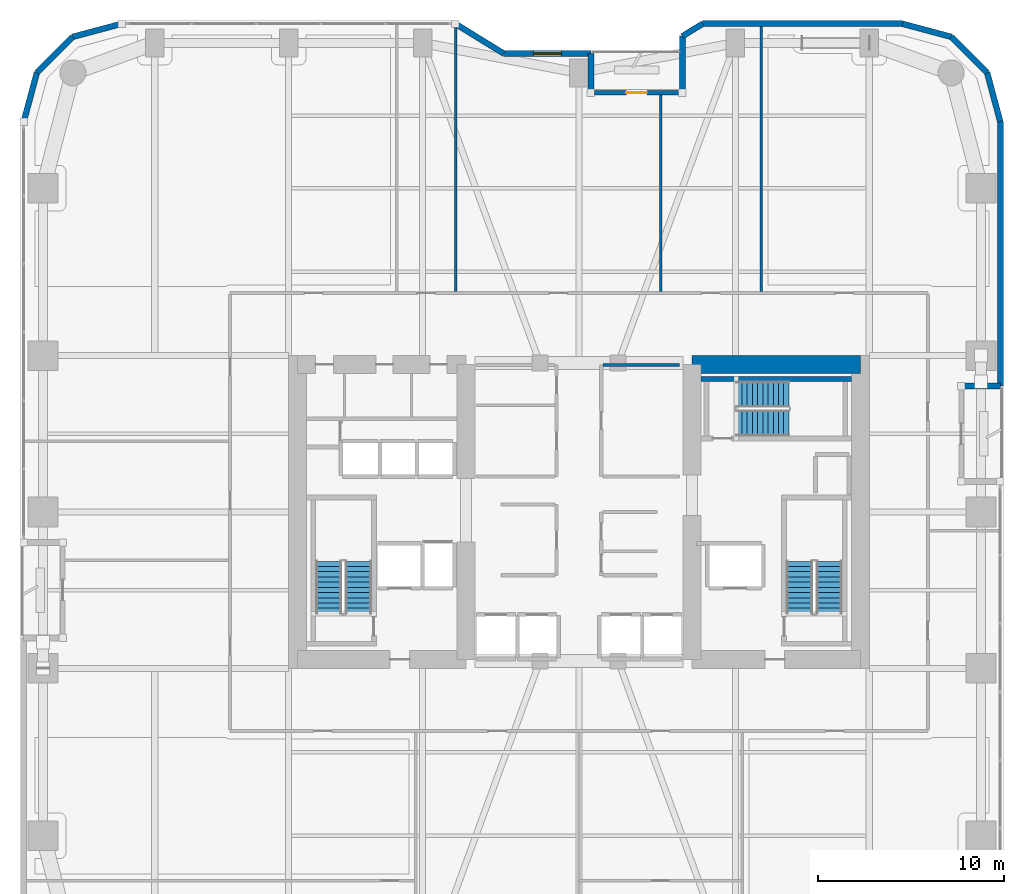
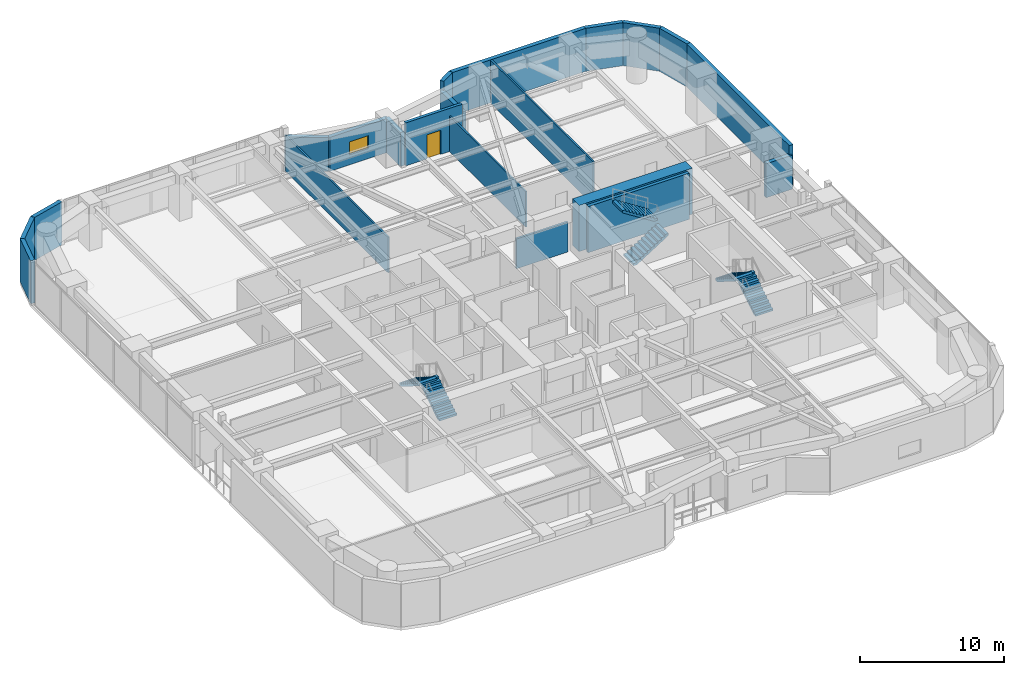
# One storey, part 21 of 24: 21 walls, 6 stair flights, 1 door, 1 window, 2 openings, 3 elements without a shape of their own.
"""IFC4 building model written with IfcOpenShell, lengths in metres."""

from ifc_helpers import new_model, si_unit, direction, frame, frame_2d, origin, place, context, subcontext, project, spatial, polyline, rectangle, outline, extrude, material, layer, layer_set, type_object, element, fill, aggregate, save


model = new_model("IFC4")

# Units and contexts
model_context = context("Model", 3, precision=1e-05, world=origin(), true_north=direction((0.0, 1.0)))
body_context = subcontext(model_context, "Body", "Model", "MODEL_VIEW")
ifc_project = project(units=[si_unit("LENGTHUNIT", "METRE"), si_unit("AREAUNIT", "SQUARE_METRE"), si_unit("VOLUMEUNIT", "CUBIC_METRE"), si_unit("PLANEANGLEUNIT", "RADIAN"), si_unit("MASSUNIT", "GRAM", prefix="KILO")], contexts=[model_context])

# Site, building, storey
site_placement = place(None, origin())
site = spatial("IfcSite", under=ifc_project, at=site_placement, CompositionType="ELEMENT")
building_placement = place(site_placement, origin())
building = spatial("IfcBuilding", under=site, at=building_placement, Name="Kiyonajd Concourse Tower", CompositionType="ELEMENT")
storey_placement = place(building_placement, frame((0.0, 0.0, 85.800048828125)))
storey = spatial("IfcBuildingStorey", under=building, at=storey_placement, Name="L22", CompositionType="ELEMENT", Elevation=85.800048828125)

# Walls
ifc_material_1 = material(Name="Concrete C80/95", Category="concrete")
ifc_layer_1 = layer(ifc_material_1, 0.949951171875)
ifc_layer_set_1 = layer_set([ifc_layer_1], Name="Concrete C80/95")
wall_type_1 = type_object("IfcWallType", Name="WL-CORE-950", PredefinedType="SHEAR", material=ifc_layer_set_1)
wall_1_placement = place(storey_placement, frame((54.074951171875, 43.925048828125, 0.0), z_axis=(0.0, 0.0, 1.0), x_axis=(1.0, 0.0, 0.0)))
element("IfcWall", 1, at=wall_1_placement, inside=storey, type_object=wall_type_1, Name="L22 East Core North Shear Wall", PredefinedType="SHEAR", context=body_context, shape_type="SweptSolid", body=[
    extrude(rectangle(XDim=9.050048828125, YDim=0.949951171875, at=frame_2d((4.52490234375, 0.0))), origin(), (0.0, 0.0, 1.0), 3.89990234375),
])
ifc_material_2 = material(Name="Precast concrete C50/60", Category="concrete")
ifc_layer_2 = layer(ifc_material_2, 0.320068359375)
ifc_layer_set_2 = layer_set([ifc_layer_2], Name="Precast concrete C50/60")
wall_type_2 = type_object("IfcWallType", Name="WL-EXT-320", PredefinedType="SOLIDWALL", material=ifc_layer_set_2)
wall_2_placement = place(storey_placement, frame((18.159912109375, 56.97900390625, 0.0), z_axis=(0.0, 0.0, 1.0), x_axis=(0.25869736047, 0.965958423373, 0.0)))
element("IfcWall", 2, at=wall_2_placement, inside=storey, type_object=wall_type_2, Name="L22 Exterior Concrete Frame Wall 06", PredefinedType="SOLIDWALL", context=body_context, shape_type="SweptSolid", body=[
    extrude(rectangle(XDim=2.731201171875, YDim=0.320068359375, at=frame_2d((1.36572265625, 0.0))), origin(), (0.0, 0.0, 1.0), 3.639892578125),
])
wall_3_placement = place(storey_placement, frame((18.866455078125, 59.6171875, 0.0), z_axis=(0.0, 0.0, 1.0), x_axis=(0.707106781187, 0.707106781187, 0.0)))
element("IfcWall", 3, at=wall_3_placement, inside=storey, type_object=wall_type_2, Name="L22 Exterior Concrete Frame Wall 07", PredefinedType="SOLIDWALL", context=body_context, shape_type="SweptSolid", body=[
    extrude(rectangle(XDim=2.7099609375, YDim=0.320068359375, at=frame_2d((1.35498046875, 0.0))), origin(), (0.0, 0.0, 1.0), 3.639892578125),
])
wall_4_placement = place(storey_placement, frame((20.78271484375, 61.533447265625, 0.0), z_axis=(0.0, 0.0, 1.0), x_axis=(0.965964405026, 0.25867502435, 0.0)))
element("IfcWall", 4, at=wall_4_placement, inside=storey, type_object=wall_type_2, Name="L22 Exterior Concrete Frame Wall 08", PredefinedType="SOLIDWALL", context=body_context, shape_type="SweptSolid", body=[
    extrude(rectangle(XDim=2.7314453125, YDim=0.320068359375, at=frame_2d((1.36572265625, 0.0))), origin(), (0.0, 0.0, 1.0), 3.639892578125),
])
wall_5_placement = place(storey_placement, frame((41.354736328125, 62.239990234375, 0.0), z_axis=(0.0, 0.0, 1.0), x_axis=(0.851630857047, -0.524142044989, 0.0)))
element("IfcWall", 5, at=wall_5_placement, inside=storey, type_object=wall_type_2, Name="L22 Exterior Concrete Frame Wall 10", PredefinedType="SOLIDWALL", context=body_context, shape_type="SweptSolid", body=[
    extrude(rectangle(XDim=3.052734375, YDim=0.320068359375, at=frame_2d((1.5263671875, 0.0))), origin(), (0.0, 0.0, 1.0), 2.875),
])

# Wall, opening, window
wall_6_placement = place(storey_placement, frame((43.95458984375, 60.639892578125, 0.0), z_axis=(0.0, 0.0, 1.0), x_axis=(1.0, 0.0, 0.0)))
wall_6 = element("IfcWall", 6, at=wall_6_placement, inside=storey, type_object=wall_type_2, Name="L22 Exterior Concrete Frame Wall 11", PredefinedType="SOLIDWALL", context=body_context, shape_type="SweptSolid", body=[
    extrude(rectangle(XDim=4.685302734375, YDim=0.320068359375, at=frame_2d((2.3427734375, 0.0))), origin(), (0.0, 0.0, 1.0), 2.875),
])
opening_1_placement = place(wall_6_placement, frame((1.593017578125, 0.0, 0.85009765625)))
opening_1 = element("IfcOpeningElement", 7, at=opening_1_placement, cuts=wall_6, Name="Opening WN2", PredefinedType="OPENING", context=body_context, shape_type="SweptSolid", body=[
    extrude(rectangle(XDim=1.5, YDim=1.10009765625, at=frame_2d((0.75, 0.550048828125))), frame((0.0, 0.169921875, 0.0), z_axis=(0.0, -1.0, 0.0), x_axis=(1.0, 0.0, 0.0)), (0.0, 0.0, 1.0), 0.340087890625),
])
ifc_material_3 = material(Name="Double Low-E Insulated Glass", Category="glass")
window_type = type_object("IfcWindowType", Name="WN-VIS-1500x1100", PartitioningType="SINGLE_PANEL", PredefinedType="WINDOW", material=ifc_material_3)
window_placement = place(opening_1_placement, origin())
window = element("IfcWindow", 8, at=window_placement, inside=storey, type_object=window_type, Name="L22 Modular Facade Vision Window 11", OverallHeight=1.10009765625, OverallWidth=1.5, PartitioningType="SINGLE_PANEL", PredefinedType="WINDOW", context=body_context, shape_type="SweptSolid", body=[
    extrude(rectangle(XDim=1.5, YDim=1.10009765625, at=frame_2d((0.75, 0.550048828125))), frame((0.0, 0.030029296875, 0.0), z_axis=(0.0, -1.0, 0.0), x_axis=(1.0, 0.0, 0.0)), (0.0, 0.0, 1.0), 0.06005859375),
])
fill(opening_1, window)

# Walls
wall_7_placement = place(storey_placement, frame((48.639892578125, 60.639892578125, 0.0), z_axis=(0.0, 0.0, 1.0), x_axis=(0.0, -1.0, 0.0)))
element("IfcWall", 9, at=wall_7_placement, inside=storey, type_object=wall_type_2, Name="L22 Exterior Concrete Frame Wall 12", PredefinedType="SOLIDWALL", context=body_context, shape_type="SweptSolid", body=[
    extrude(rectangle(XDim=2.099853515625, YDim=0.320068359375, at=frame_2d((1.0498046875, 0.0))), origin(), (0.0, 0.0, 1.0), 2.875),
])
wall_8_placement = place(storey_placement, frame((53.56005859375, 58.5400390625, 0.0), z_axis=(0.0, 0.0, 1.0), x_axis=(0.0, 1.0, 0.0)))
element("IfcWall", 10, at=wall_8_placement, inside=storey, type_object=wall_type_2, Name="L22 Exterior Concrete Frame Wall 14", PredefinedType="SOLIDWALL", context=body_context, shape_type="SweptSolid", body=[
    extrude(rectangle(XDim=3.032470703125, YDim=0.320068359375, at=frame_2d((1.51611328125, 0.0))), origin(), (0.0, 0.0, 1.0), 2.875),
])
wall_9_placement = place(storey_placement, frame((53.56005859375, 61.572509765625, 0.0), z_axis=(0.0, 0.0, 1.0), x_axis=(0.851776724646, 0.523904964045, 0.0)))
element("IfcWall", 11, at=wall_9_placement, inside=storey, type_object=wall_type_2, Name="L22 Exterior Concrete Frame Wall 15", PredefinedType="SOLIDWALL", context=body_context, shape_type="SweptSolid", body=[
    extrude(rectangle(XDim=1.274169921875, YDim=0.320068359375, at=frame_2d((0.63720703125, 0.0))), origin(), (0.0, 0.0, 1.0), 3.639892578125),
])
wall_10_placement = place(storey_placement, frame((54.645263671875, 62.239990234375, 0.0), z_axis=(0.0, 0.0, 1.0), x_axis=(1.0, 0.0, 0.0)))
element("IfcWall", 12, at=wall_10_placement, inside=storey, type_object=wall_type_2, Name="L22 Exterior Concrete Frame Wall 16", PredefinedType="SOLIDWALL", context=body_context, shape_type="SweptSolid", body=[
    extrude(rectangle(XDim=10.733642578125, YDim=0.320068359375, at=frame_2d((5.36669921875, 0.0))), origin(), (0.0, 0.0, 1.0), 3.639892578125),
])
wall_11_placement = place(storey_placement, frame((65.37890625, 62.239990234375, 0.0), z_axis=(0.0, 0.0, 1.0), x_axis=(0.965958423373, -0.25869736047, 0.0)))
element("IfcWall", 13, at=wall_11_placement, inside=storey, type_object=wall_type_2, Name="L22 Exterior Concrete Frame Wall 17", PredefinedType="SOLIDWALL", context=body_context, shape_type="SweptSolid", body=[
    extrude(rectangle(XDim=2.731201171875, YDim=0.320068359375, at=frame_2d((1.36572265625, 0.0))), origin(), (0.0, 0.0, 1.0), 3.639892578125),
])
wall_12_placement = place(storey_placement, frame((68.01708984375, 61.533447265625, 0.0), z_axis=(0.0, 0.0, 1.0), x_axis=(0.707151821269, -0.707061738235, 0.0)))
element("IfcWall", 14, at=wall_12_placement, inside=storey, type_object=wall_type_2, Name="L22 Exterior Concrete Frame Wall 18", PredefinedType="SOLIDWALL", context=body_context, shape_type="SweptSolid", body=[
    extrude(rectangle(XDim=2.710205078125, YDim=0.320068359375, at=frame_2d((1.35498046875, 0.0))), origin(), (0.0, 0.0, 1.0), 3.639892578125),
])
wall_13_placement = place(storey_placement, frame((69.93359375, 59.6171875, 0.0), z_axis=(0.0, 0.0, 1.0), x_axis=(0.258613949072, -0.965980758269, 0.0)))
element("IfcWall", 15, at=wall_13_placement, inside=storey, type_object=wall_type_2, Name="L22 Exterior Concrete Frame Wall 19", PredefinedType="SOLIDWALL", context=body_context, shape_type="SweptSolid", body=[
    extrude(rectangle(XDim=2.731201171875, YDim=0.320068359375, at=frame_2d((1.36572265625, 0.0))), origin(), (0.0, 0.0, 1.0), 3.639892578125),
])
wall_14_placement = place(storey_placement, frame((70.639892578125, 56.97900390625, 0.0), z_axis=(0.0, 0.0, 1.0), x_axis=(0.0, -1.0, 0.0)))
element("IfcWall", 16, at=wall_14_placement, inside=storey, type_object=wall_type_2, Name="L22 Exterior Concrete Frame Wall 20", PredefinedType="SOLIDWALL", context=body_context, shape_type="SweptSolid", body=[
    extrude(rectangle(XDim=14.218994140625, YDim=0.320068359375, at=frame_2d((7.109375, 0.0))), origin(), (0.0, 0.0, 1.0), 3.639892578125),
])
wall_15_placement = place(storey_placement, frame((70.639892578125, 42.760009765625, 0.0), z_axis=(0.0, 0.0, 1.0), x_axis=(-1.0, 0.0, 0.0)))
element("IfcWall", 17, at=wall_15_placement, inside=storey, type_object=wall_type_2, Name="L22 Exterior Concrete Frame Wall 21", PredefinedType="SOLIDWALL", context=body_context, shape_type="SweptSolid", body=[
    extrude(rectangle(XDim=2.099853515625, YDim=0.320068359375, at=frame_2d((1.0498046875, 0.0))), origin(), (0.0, 0.0, 1.0), 2.875),
])

# Wall, opening, door
ifc_layer_3 = layer(ifc_material_2, 0.239990234375)
ifc_layer_set_3 = layer_set([ifc_layer_3], Name="Precast concrete C50/60")
wall_type_3 = type_object("IfcWallType", Name="WL-LOG-240", PredefinedType="SOLIDWALL", material=ifc_layer_set_3)
wall_16_placement = place(storey_placement, frame((48.8349609375, 58.5400390625, 0.0), z_axis=(0.0, 0.0, 1.0), x_axis=(1.0, 0.0, 0.0)))
wall_16 = element("IfcWall", 18, at=wall_16_placement, inside=storey, type_object=wall_type_3, Name="L22 Recessed Loggia Thermal Wall LOG-N", PredefinedType="SOLIDWALL", context=body_context, shape_type="SweptSolid", body=[
    extrude(rectangle(XDim=4.530029296875, YDim=0.239990234375, at=frame_2d((2.26513671875, 0.0))), origin(), (0.0, 0.0, 1.0), 3.639892578125),
])
opening_2_placement = place(wall_16_placement, frame((1.715087890625, 0.0, 0.0)))
opening_2 = element("IfcOpeningElement", 19, at=opening_2_placement, cuts=wall_16, Name="Opening DL2", PredefinedType="OPENING", context=body_context, shape_type="SweptSolid", body=[
    extrude(rectangle(XDim=1.10009765625, YDim=2.0400390625, at=frame_2d((0.550048828125, 1.02001953125))), frame((0.0, 0.1298828125, 0.0), z_axis=(0.0, -1.0, 0.0), x_axis=(1.0, 0.0, 0.0)), (0.0, 0.0, 1.0), 0.260009765625),
])
ifc_material_4 = material(Name="Thermally Broken Anodised Aluminium", Category="aluminium")
door_type = type_object("IfcDoorType", Name="DR-LOG-1100", OperationType="NOTDEFINED", PredefinedType="DOOR", material=ifc_material_4)
door_placement = place(opening_2_placement, origin())
door = element("IfcDoor", 20, at=door_placement, inside=storey, type_object=door_type, Name="L22 Engawa Loggia Access Door LOG-N", OperationType="SINGLE_SWING_RIGHT", OverallHeight=2.0400390625, OverallWidth=1.10009765625, PredefinedType="DOOR", context=body_context, shape_type="SweptSolid", body=[
    extrude(rectangle(XDim=1.10009765625, YDim=2.0400390625, at=frame_2d((0.550048828125, 1.02001953125))), frame((0.0, 0.02490234375, 0.0), z_axis=(0.0, -1.0, 0.0), x_axis=(1.0, 0.0, 0.0)), (0.0, 0.0, 1.0), 0.050048828125),
])
fill(opening_2, door)

# Walls
ifc_material_5 = material(Name="Gypsum Board on Cold-Formed Steel Stud", Category="steel")
ifc_layer_4 = layer(ifc_material_5, 0.125)
ifc_layer_set_4 = layer_set([ifc_layer_4], Name="Gypsum Board on Cold-Formed Steel Stud")
wall_type_4 = type_object("IfcWallType", Name="WL-PART-125", PredefinedType="PARTITIONING", material=ifc_layer_set_4)
wall_17_placement = place(storey_placement, frame((41.3798828125, 47.85693359375, 0.0), z_axis=(0.0, 0.0, 1.0), x_axis=(0.0, 1.0, 0.0)))
element("IfcWall", 21, at=wall_17_placement, inside=storey, type_object=wall_type_4, Name="L22 Interior Partition Wall", PredefinedType="PARTITIONING", context=body_context, shape_type="SweptSolid", body=[
    extrude(rectangle(XDim=14.18798828125, YDim=0.125, at=frame_2d((7.093994140625, 0.0))), origin(), (0.0, 0.0, 1.0), 3.0029296875),
])
wall_18_placement = place(storey_placement, frame((52.39990234375, 47.85693359375, 0.0), z_axis=(0.0, 0.0, 1.0), x_axis=(0.0, 1.0, 0.0)))
element("IfcWall", 22, at=wall_18_placement, inside=storey, type_object=wall_type_4, Name="L22 Interior Partition Wall", PredefinedType="PARTITIONING", context=body_context, shape_type="SweptSolid", body=[
    extrude(rectangle(XDim=10.568115234375, YDim=0.125, at=frame_2d((5.2841796875, 0.0))), origin(), (0.0, 0.0, 1.0), 3.0029296875),
])
wall_19_placement = place(storey_placement, frame((57.7900390625, 47.85693359375, 0.0), z_axis=(0.0, 0.0, 1.0), x_axis=(0.0, 1.0, 0.0)))
element("IfcWall", 23, at=wall_19_placement, inside=storey, type_object=wall_type_4, Name="L22 Interior Partition Wall", PredefinedType="PARTITIONING", context=body_context, shape_type="SweptSolid", body=[
    extrude(rectangle(XDim=14.22802734375, YDim=0.125, at=frame_2d((7.114013671875, 0.0))), origin(), (0.0, 0.0, 1.0), 3.639892578125),
])
ifc_layer_5 = layer(ifc_material_5, 0.169921875)
ifc_layer_set_5 = layer_set([ifc_layer_5], Name="Gypsum Board on Cold-Formed Steel Stud")
wall_type_5 = type_object("IfcWallType", Name="WL-SMK-170", PredefinedType="PARTITIONING", material=ifc_layer_set_5)
wall_20_placement = place(storey_placement, frame((49.287109375, 43.89990234375, 0.0), z_axis=(0.0, 0.0, 1.0), x_axis=(1.0, 0.0, 0.0)))
element("IfcWall", 24, at=wall_20_placement, inside=storey, type_object=wall_type_5, Name="L22 Interior Partition Wall", PredefinedType="PARTITIONING", context=body_context, shape_type="SweptSolid", body=[
    extrude(rectangle(XDim=4.11279296875, YDim=0.169921875, at=frame_2d((2.056396484375, 0.0))), origin(), (0.0, 0.0, 1.0), 2.52490234375),
])
ifc_material_6 = material(Name="Concrete C50/60", Category="concrete")
ifc_layer_6 = layer(ifc_material_6, 0.260009765625)
ifc_layer_set_6 = layer_set([ifc_layer_6], Name="Concrete C50/60")
wall_type_6 = type_object("IfcWallType", Name="WL-STAIR-260", PredefinedType="SHEAR", material=ifc_layer_set_6)
wall_21_placement = place(storey_placement, frame((54.550048828125, 43.14990234375, 0.0), z_axis=(0.0, 0.0, 1.0), x_axis=(1.0, 0.0, 0.0)))
element("IfcWall", 25, at=wall_21_placement, inside=storey, type_object=wall_type_6, Name="L22 Stair ST3 Structural North Wall", PredefinedType="SHEAR", context=body_context, shape_type="SweptSolid", body=[
    extrude(rectangle(XDim=8.099853515625, YDim=0.260009765625, at=frame_2d((4.0498046875, 0.0))), origin(), (0.0, 0.0, 1.0), 3.89990234375),
])

# Stair, stair flights
ifc_material_7 = material(Name="Concrete C40/50", Category="concrete")
stair_type = type_object("IfcStairType", Name="ST-DLG-22R", PredefinedType="HALF_TURN_STAIR", material=ifc_material_7)
stair_1_placement = place(storey_placement, origin())
stair_1 = element("IfcStair", 26, at=stair_1_placement, inside=storey, type_object=stair_type, Name="L22 Protected Exit Stair ST1", PredefinedType="HALF_TURN_STAIR")
stair_flight_type = type_object("IfcStairFlightType", Name="SF-STR-22R", PredefinedType="STRAIGHT", material=ifc_material_7)
stair_flight_1_placement = place(storey_placement, frame((36.14990234375, 30.550048828125, 0.0), z_axis=(0.0, 0.0, 1.0), x_axis=(0.0, 1.0, 0.0)))
stair_flight_1 = element("IfcStairFlight", 27, at=stair_flight_1_placement, type_object=stair_flight_type, Name="ST1 flight 1", NumberOfRisers=11, NumberOfTreads=10, PredefinedType="STRAIGHT", RiserHeight=0.177272727, TreadLength=0.28, context=body_context, shape_type="SweptSolid", body=[
    extrude(outline(polyline([(0.0, 0.0), (0.0, 0.17724609375), (0.280029296875, 0.17724609375), (0.280029296875, 0.3544921875), (0.56005859375, 0.3544921875), (0.56005859375, 0.53173828125), (0.840087890625, 0.53173828125), (0.840087890625, 0.708984375), (1.1201171875, 0.708984375), (1.1201171875, 0.886474609375), (1.39990234375, 0.886474609375), (1.39990234375, 1.063720703125), (1.679931640625, 1.063720703125), (1.679931640625, 1.240966796875), (1.9599609375, 1.240966796875), (1.9599609375, 1.418212890625), (2.239990234375, 1.418212890625), (2.239990234375, 1.595458984375), (2.52001953125, 1.595458984375), (2.52001953125, 1.772705078125), (2.800048828125, 1.772705078125), (2.800048828125, 1.949951171875), (2.800048828125, 1.59521484375), (0.2802734375, 0.0), (0.0, 0.0)])), frame((0.0, 0.699951171875, 0.0), z_axis=(0.0, -1.0, 0.0), x_axis=(1.0, 0.0, 0.0)), (0.0, 0.0, 1.0), 1.39990234375),
])
stair_flight_2_placement = place(storey_placement, frame((34.550048828125, 33.35009765625, 1.949951171875), z_axis=(0.0, 0.0, 1.0), x_axis=(0.0, -1.0, 0.0)))
stair_flight_2 = element("IfcStairFlight", 28, at=stair_flight_2_placement, type_object=stair_flight_type, Name="ST1 flight 2", NumberOfRisers=11, NumberOfTreads=10, PredefinedType="STRAIGHT", RiserHeight=0.177272727, TreadLength=0.28, context=body_context, shape_type="SweptSolid", body=[
    extrude(outline(polyline([(0.0, 0.0), (0.0, 0.17724609375), (0.280029296875, 0.17724609375), (0.280029296875, 0.3544921875), (0.56005859375, 0.3544921875), (0.56005859375, 0.53173828125), (0.840087890625, 0.53173828125), (0.840087890625, 0.708984375), (1.1201171875, 0.708984375), (1.1201171875, 0.886474609375), (1.39990234375, 0.886474609375), (1.39990234375, 1.063720703125), (1.679931640625, 1.063720703125), (1.679931640625, 1.240966796875), (1.9599609375, 1.240966796875), (1.9599609375, 1.418212890625), (2.239990234375, 1.418212890625), (2.239990234375, 1.595458984375), (2.52001953125, 1.595458984375), (2.52001953125, 1.772705078125), (2.800048828125, 1.772705078125), (2.800048828125, 1.949951171875), (2.800048828125, 1.59521484375), (0.2802734375, 0.0), (0.0, 0.0)])), frame((0.0, 0.699951171875, 0.0), z_axis=(0.0, -1.0, 0.0), x_axis=(1.0, 0.0, 0.0)), (0.0, 0.0, 1.0), 1.39990234375),
])
aggregate(stair_1, [stair_flight_1, stair_flight_2])

stair_2_placement = place(storey_placement, origin())
stair_2 = element("IfcStair", 29, at=stair_2_placement, inside=storey, type_object=stair_type, Name="L22 Protected Exit Stair ST2", PredefinedType="HALF_TURN_STAIR")
stair_flight_3_placement = place(storey_placement, frame((61.449951171875, 30.550048828125, 0.0), z_axis=(0.0, 0.0, 1.0), x_axis=(0.0, 1.0, 0.0)))
stair_flight_3 = element("IfcStairFlight", 30, at=stair_flight_3_placement, type_object=stair_flight_type, Name="ST2 flight 1", NumberOfRisers=11, NumberOfTreads=10, PredefinedType="STRAIGHT", RiserHeight=0.177272727, TreadLength=0.28, context=body_context, shape_type="SweptSolid", body=[
    extrude(outline(polyline([(0.0, 0.0), (0.0, 0.17724609375), (0.280029296875, 0.17724609375), (0.280029296875, 0.3544921875), (0.56005859375, 0.3544921875), (0.56005859375, 0.53173828125), (0.840087890625, 0.53173828125), (0.840087890625, 0.708984375), (1.1201171875, 0.708984375), (1.1201171875, 0.886474609375), (1.39990234375, 0.886474609375), (1.39990234375, 1.063720703125), (1.679931640625, 1.063720703125), (1.679931640625, 1.240966796875), (1.9599609375, 1.240966796875), (1.9599609375, 1.418212890625), (2.239990234375, 1.418212890625), (2.239990234375, 1.595458984375), (2.52001953125, 1.595458984375), (2.52001953125, 1.772705078125), (2.800048828125, 1.772705078125), (2.800048828125, 1.949951171875), (2.800048828125, 1.59521484375), (0.2802734375, 0.0), (0.0, 0.0)])), frame((0.0, 0.699951171875, 0.0), z_axis=(0.0, -1.0, 0.0), x_axis=(1.0, 0.0, 0.0)), (0.0, 0.0, 1.0), 1.39990234375),
])
stair_flight_4_placement = place(storey_placement, frame((59.85009765625, 33.35009765625, 1.949951171875), z_axis=(0.0, 0.0, 1.0), x_axis=(0.0, -1.0, 0.0)))
stair_flight_4 = element("IfcStairFlight", 31, at=stair_flight_4_placement, type_object=stair_flight_type, Name="ST2 flight 2", NumberOfRisers=11, NumberOfTreads=10, PredefinedType="STRAIGHT", RiserHeight=0.177272727, TreadLength=0.28, context=body_context, shape_type="SweptSolid", body=[
    extrude(outline(polyline([(0.0, 0.0), (0.0, 0.17724609375), (0.280029296875, 0.17724609375), (0.280029296875, 0.3544921875), (0.56005859375, 0.3544921875), (0.56005859375, 0.53173828125), (0.840087890625, 0.53173828125), (0.840087890625, 0.708984375), (1.1201171875, 0.708984375), (1.1201171875, 0.886474609375), (1.39990234375, 0.886474609375), (1.39990234375, 1.063720703125), (1.679931640625, 1.063720703125), (1.679931640625, 1.240966796875), (1.9599609375, 1.240966796875), (1.9599609375, 1.418212890625), (2.239990234375, 1.418212890625), (2.239990234375, 1.595458984375), (2.52001953125, 1.595458984375), (2.52001953125, 1.772705078125), (2.800048828125, 1.772705078125), (2.800048828125, 1.949951171875), (2.800048828125, 1.59521484375), (0.2802734375, 0.0), (0.0, 0.0)])), frame((0.0, 0.699951171875, 0.0), z_axis=(0.0, -1.0, 0.0), x_axis=(1.0, 0.0, 0.0)), (0.0, 0.0, 1.0), 1.39990234375),
])
aggregate(stair_2, [stair_flight_3, stair_flight_4])

stair_3_placement = place(storey_placement, origin())
stair_3 = element("IfcStair", 32, at=stair_3_placement, inside=storey, type_object=stair_type, Name="L22 Protected Exit Stair ST3", PredefinedType="HALF_TURN_STAIR")
stair_flight_5_placement = place(storey_placement, frame((56.47998046875, 40.780029296875, 0.0), z_axis=(0.0, 0.0, 1.0), x_axis=(1.0, 0.0, 0.0)))
stair_flight_5 = element("IfcStairFlight", 33, at=stair_flight_5_placement, type_object=stair_flight_type, Name="ST3 flight 1", NumberOfRisers=11, NumberOfTreads=10, PredefinedType="STRAIGHT", RiserHeight=0.177272727, TreadLength=0.28, context=body_context, shape_type="SweptSolid", body=[
    extrude(outline(polyline([(0.0, 0.0), (0.0, 0.17724609375), (0.280029296875, 0.17724609375), (0.280029296875, 0.3544921875), (0.56005859375, 0.3544921875), (0.56005859375, 0.53173828125), (0.840087890625, 0.53173828125), (0.840087890625, 0.708984375), (1.1201171875, 0.708984375), (1.1201171875, 0.886474609375), (1.39990234375, 0.886474609375), (1.39990234375, 1.063720703125), (1.679931640625, 1.063720703125), (1.679931640625, 1.240966796875), (1.9599609375, 1.240966796875), (1.9599609375, 1.418212890625), (2.239990234375, 1.418212890625), (2.239990234375, 1.595458984375), (2.52001953125, 1.595458984375), (2.52001953125, 1.772705078125), (2.800048828125, 1.772705078125), (2.800048828125, 1.949951171875), (2.800048828125, 1.59521484375), (0.2802734375, 0.0), (0.0, 0.0)])), frame((0.0, 0.699951171875, 0.0), z_axis=(0.0, -1.0, 0.0), x_axis=(1.0, 0.0, 0.0)), (0.0, 0.0, 1.0), 1.39990234375),
])
stair_flight_6_placement = place(storey_placement, frame((59.280029296875, 42.320068359375, 1.949951171875), z_axis=(0.0, 0.0, 1.0), x_axis=(-1.0, 0.0, 0.0)))
stair_flight_6 = element("IfcStairFlight", 34, at=stair_flight_6_placement, type_object=stair_flight_type, Name="ST3 flight 2", NumberOfRisers=11, NumberOfTreads=10, PredefinedType="STRAIGHT", RiserHeight=0.177272727, TreadLength=0.28, context=body_context, shape_type="SweptSolid", body=[
    extrude(outline(polyline([(0.0, 0.0), (0.0, 0.17724609375), (0.280029296875, 0.17724609375), (0.280029296875, 0.3544921875), (0.56005859375, 0.3544921875), (0.56005859375, 0.53173828125), (0.840087890625, 0.53173828125), (0.840087890625, 0.708984375), (1.1201171875, 0.708984375), (1.1201171875, 0.886474609375), (1.39990234375, 0.886474609375), (1.39990234375, 1.063720703125), (1.679931640625, 1.063720703125), (1.679931640625, 1.240966796875), (1.9599609375, 1.240966796875), (1.9599609375, 1.418212890625), (2.239990234375, 1.418212890625), (2.239990234375, 1.595458984375), (2.52001953125, 1.595458984375), (2.52001953125, 1.772705078125), (2.800048828125, 1.772705078125), (2.800048828125, 1.949951171875), (2.800048828125, 1.59521484375), (0.2802734375, 0.0), (0.0, 0.0)])), frame((0.0, 0.699951171875, 0.0), z_axis=(0.0, -1.0, 0.0), x_axis=(1.0, 0.0, 0.0)), (0.0, 0.0, 1.0), 1.39990234375),
])
aggregate(stair_3, [stair_flight_5, stair_flight_6])

save(model, "model.ifc")
